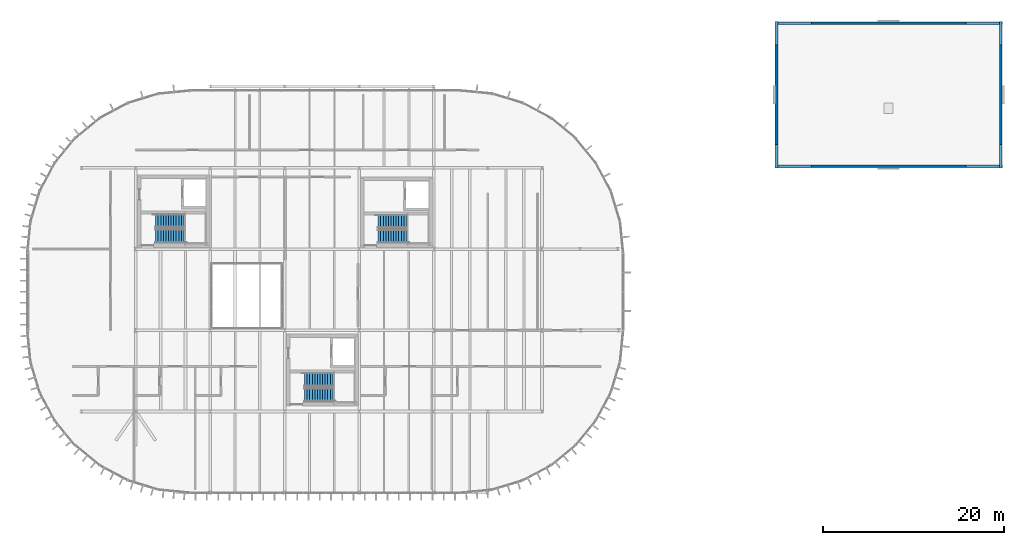
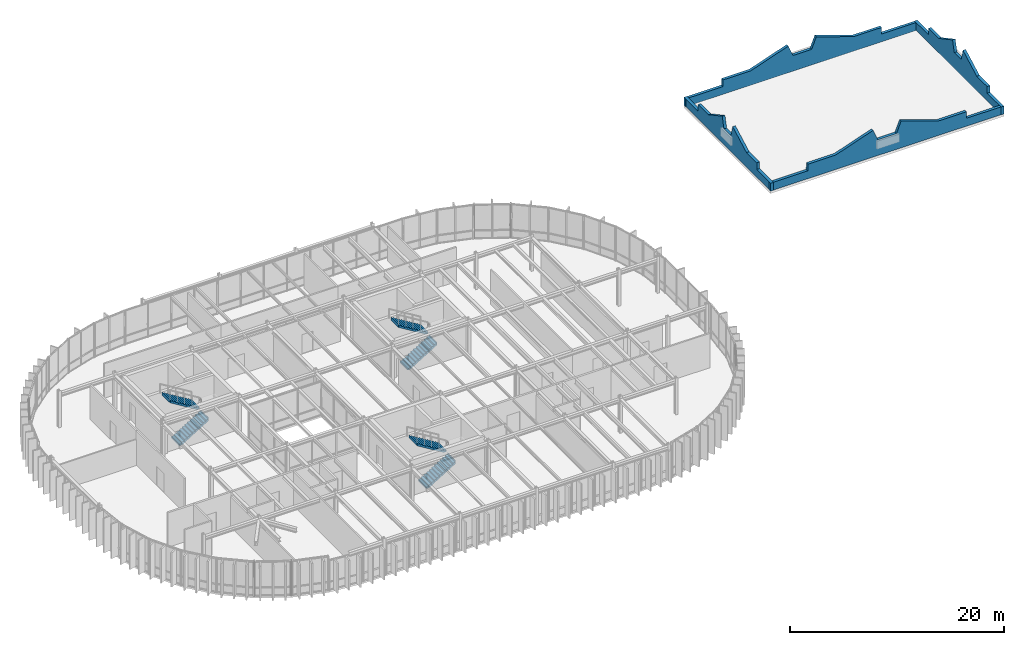
# One storey, part 22 of 27: 6 stair flights, 4 walls, 3 elements without a shape of their own.
"""IFC4 building model written with IfcOpenShell, lengths in metres."""

from ifc_helpers import new_model, si_unit, direction, frame, origin, place, context, subcontext, project, spatial, polyline, outline, extrude, material, layer, layer_set, type_object, element, aggregate, save


model = new_model("IFC4")

# Units and contexts
model_context = context("Model", 3, precision=1e-05, world=origin(), true_north=direction((0.0, 1.0)))
body_context = subcontext(model_context, "Body", "Model", "MODEL_VIEW")
ifc_project = project(units=[si_unit("LENGTHUNIT", "METRE"), si_unit("AREAUNIT", "SQUARE_METRE"), si_unit("VOLUMEUNIT", "CUBIC_METRE"), si_unit("PLANEANGLEUNIT", "RADIAN"), si_unit("MASSUNIT", "GRAM", prefix="KILO")], contexts=[model_context])

# Site, building, storey
site_placement = place(None, origin())
site = spatial("IfcSite", under=ifc_project, at=site_placement, CompositionType="ELEMENT")
building_placement = place(site_placement, origin())
building = spatial("IfcBuilding", under=site, at=building_placement, Name="Montealbar Specialist Clinic", CompositionType="ELEMENT")
storey_placement = place(building_placement, frame((0.0, 0.0, 18.0)))
storey = spatial("IfcBuildingStorey", under=building, at=storey_placement, Name="L04", CompositionType="ELEMENT", Elevation=18.0)

# Walls
ifc_material_1 = material(Name="Terracotta architectural cladding", Category="masonry")
ifc_layer = layer(ifc_material_1, 0.300048828125, Name="Terracotta architectural cladding", Category="masonry")
ifc_layer_set = layer_set([ifc_layer], Name="Terracotta architectural cladding")
wall_type = type_object("IfcWallType", Name="WL-PEDIMENT-300", PredefinedType="PARAPET", material=ifc_layer_set)
wall_1_placement = place(storey_placement, frame((161.830078125, 52.199951171875, 0.0), z_axis=(0.0, 0.0, 1.0), x_axis=(0.0, -1.0, 0.0)))
element("IfcWall", 1, at=wall_1_placement, inside=storey, type_object=wall_type, Name="Postmodern Broken-Pediment Gable Parapet L04-16", PredefinedType="PARAPET", context=body_context, shape_type="SweptSolid", body=[
    extrude(outline(polyline([(0.0, 0.0), (16.199951171875, 0.0), (16.199951171875, 0.89990234375), (13.60791015625, 0.89990234375), (13.587890625, 1.64990234375), (11.6640625, 1.64990234375), (9.072021484375, 3.050048828125), (8.748046875, 1.800048828125), (7.451904296875, 1.800048828125), (7.1279296875, 3.050048828125), (4.535888671875, 1.64990234375), (2.612060546875, 1.64990234375), (2.592041015625, 0.89990234375), (0.0, 0.89990234375), (0.0, 0.0)])), frame((0.0, 0.14990234375, 0.0), z_axis=(0.0, -1.0, 0.0), x_axis=(1.0, 0.0, 0.0)), (0.0, 0.0, 1.0), 0.300048828125),
])
wall_2_placement = place(storey_placement, frame((162.0, 36.169921875, 0.0), z_axis=(0.0, 0.0, 1.0), x_axis=(-1.0, 0.0, 0.0)))
element("IfcWall", 2, at=wall_2_placement, inside=storey, type_object=wall_type, Name="Postmodern Broken-Pediment Gable Parapet L04-17", PredefinedType="PARAPET", context=body_context, shape_type="SweptSolid", body=[
    extrude(outline(polyline([(0.0, 0.0), (25.199951171875, 0.0), (25.199951171875, 0.89990234375), (21.16796875, 0.89990234375), (21.14794921875, 1.64990234375), (18.14404296875, 1.64990234375), (14.112060546875, 3.050048828125), (13.60791015625, 1.800048828125), (11.592041015625, 1.800048828125), (11.087890625, 3.050048828125), (7.055908203125, 1.64990234375), (4.052001953125, 1.64990234375), (4.031982421875, 0.89990234375), (0.0, 0.89990234375), (0.0, 0.0)])), frame((0.0, 0.14990234375, 0.0), z_axis=(0.0, -1.0, 0.0), x_axis=(1.0, 0.0, 0.0)), (0.0, 0.0, 1.0), 0.300048828125),
])
wall_3_placement = place(storey_placement, frame((136.969970703125, 36.0, 0.0), z_axis=(0.0, 0.0, 1.0), x_axis=(0.0, 1.0, 0.0)))
element("IfcWall", 3, at=wall_3_placement, inside=storey, type_object=wall_type, Name="Postmodern Broken-Pediment Gable Parapet L04-18", PredefinedType="PARAPET", context=body_context, shape_type="SweptSolid", body=[
    extrude(outline(polyline([(0.0, 0.0), (16.199951171875, 0.0), (16.199951171875, 0.89990234375), (13.60791015625, 0.89990234375), (13.587890625, 1.64990234375), (11.6640625, 1.64990234375), (9.072021484375, 3.050048828125), (8.748046875, 1.800048828125), (7.451904296875, 1.800048828125), (7.1279296875, 3.050048828125), (4.535888671875, 1.64990234375), (2.612060546875, 1.64990234375), (2.592041015625, 0.89990234375), (0.0, 0.89990234375), (0.0, 0.0)])), frame((0.0, 0.14990234375, 0.0), z_axis=(0.0, -1.0, 0.0), x_axis=(1.0, 0.0, 0.0)), (0.0, 0.0, 1.0), 0.300048828125),
])
wall_4_placement = place(storey_placement, frame((136.800048828125, 52.030029296875, 0.0), z_axis=(0.0, 0.0, 1.0), x_axis=(1.0, 0.0, 0.0)))
element("IfcWall", 4, at=wall_4_placement, inside=storey, type_object=wall_type, Name="Postmodern Broken-Pediment Gable Parapet L04-19", PredefinedType="PARAPET", context=body_context, shape_type="SweptSolid", body=[
    extrude(outline(polyline([(0.0, 0.0), (25.199951171875, 0.0), (25.199951171875, 0.89990234375), (21.16796875, 0.89990234375), (21.14794921875, 1.64990234375), (18.14404296875, 1.64990234375), (14.112060546875, 3.050048828125), (13.60791015625, 1.800048828125), (11.592041015625, 1.800048828125), (11.087890625, 3.050048828125), (7.055908203125, 1.64990234375), (4.052001953125, 1.64990234375), (4.031982421875, 0.89990234375), (0.0, 0.89990234375), (0.0, 0.0)])), frame((0.0, 0.14990234375, 0.0), z_axis=(0.0, -1.0, 0.0), x_axis=(1.0, 0.0, 0.0)), (0.0, 0.0, 1.0), 0.300048828125),
])

# Stair, stair flights
ifc_material_2 = material(Name="Concrete C35/45", Category="concrete")
stair_type_1 = type_object("IfcStairType", Name="STAIR-HT-07", PredefinedType="HALF_TURN_STAIR", material=ifc_material_2)
stair_1_placement = place(storey_placement, origin())
stair_1 = element("IfcStair", 5, at=stair_1_placement, inside=storey, type_object=stair_type_1, Name="L04 Protected Exit Stair Core C3", PredefinedType="HALF_TURN_STAIR")
stair_flight_type_1 = type_object("IfcStairFlightType", Name="FLIGHT-HT-07", PredefinedType="STRAIGHT", material=ifc_material_2)
stair_flight_1_placement = place(storey_placement, frame((68.199951171875, 28.449951171875, 0.0), z_axis=(0.0, 0.0, 1.0), x_axis=(1.0, 0.0, 0.0)))
stair_flight_1 = element("IfcStairFlight", 6, at=stair_flight_1_placement, type_object=stair_flight_type_1, Name="ST-03 flight 1", NumberOfRisers=12, NumberOfTreads=11, PredefinedType="STRAIGHT", RiserHeight=0.175, TreadLength=0.285, context=body_context, shape_type="SweptSolid", body=[
    extrude(outline(polyline([(-0.02490234375, 0.0), (-0.02490234375, 0.0400390625), (0.0, 0.0400390625), (0.0, 0.175048828125), (0.284912109375, 0.175048828125), (0.284912109375, 0.35009765625), (0.570068359375, 0.35009765625), (0.570068359375, 0.52490234375), (0.85498046875, 0.52490234375), (0.85498046875, 0.699951171875), (1.139892578125, 0.699951171875), (1.139892578125, 0.875), (1.425048828125, 0.875), (1.425048828125, 1.050048828125), (1.7099609375, 1.050048828125), (1.7099609375, 1.22509765625), (1.9951171875, 1.22509765625), (1.9951171875, 1.39990234375), (2.280029296875, 1.39990234375), (2.280029296875, 1.574951171875), (2.56494140625, 1.574951171875), (2.56494140625, 1.75), (2.85009765625, 1.75), (2.85009765625, 1.925048828125), (3.135009765625, 1.925048828125), (3.135009765625, 2.10009765625), (3.159912109375, 2.10009765625), (3.159912109375, 1.7490234375), (3.135009765625, 1.7490234375), (0.286376953125, 0.0), (-0.02490234375, 0.0)])), frame((0.0, 0.75, 0.0), z_axis=(0.0, -1.0, 0.0), x_axis=(1.0, 0.0, 0.0)), (0.0, 0.0, 1.0), 1.5),
])
stair_flight_2_placement = place(storey_placement, frame((71.3349609375, 30.14990234375, 2.10009765625), z_axis=(0.0, 0.0, 1.0), x_axis=(-1.0, 0.0, 0.0)))
stair_flight_2 = element("IfcStairFlight", 7, at=stair_flight_2_placement, type_object=stair_flight_type_1, Name="ST-03 flight 2", NumberOfRisers=12, NumberOfTreads=11, PredefinedType="STRAIGHT", RiserHeight=0.175, TreadLength=0.285, context=body_context, shape_type="SweptSolid", body=[
    extrude(outline(polyline([(-0.02490234375, 0.0), (-0.02490234375, 0.0400390625), (0.0, 0.0400390625), (0.0, 0.175048828125), (0.284912109375, 0.175048828125), (0.284912109375, 0.35009765625), (0.570068359375, 0.35009765625), (0.570068359375, 0.52490234375), (0.85498046875, 0.52490234375), (0.85498046875, 0.699951171875), (1.139892578125, 0.699951171875), (1.139892578125, 0.875), (1.425048828125, 0.875), (1.425048828125, 1.050048828125), (1.7099609375, 1.050048828125), (1.7099609375, 1.22509765625), (1.9951171875, 1.22509765625), (1.9951171875, 1.39990234375), (2.280029296875, 1.39990234375), (2.280029296875, 1.574951171875), (2.56494140625, 1.574951171875), (2.56494140625, 1.75), (2.85009765625, 1.75), (2.85009765625, 1.925048828125), (3.135009765625, 1.925048828125), (3.135009765625, 2.10009765625), (3.159912109375, 2.10009765625), (3.159912109375, 1.7490234375), (3.135009765625, 1.7490234375), (0.286376953125, 0.0), (-0.02490234375, 0.0)])), frame((0.0, 0.75, 0.0), z_axis=(0.0, -1.0, 0.0), x_axis=(1.0, 0.0, 0.0)), (0.0, 0.0, 1.0), 1.5),
])
aggregate(stair_1, [stair_flight_1, stair_flight_2])

stair_2_placement = place(storey_placement, origin())
stair_2 = element("IfcStair", 8, at=stair_2_placement, inside=storey, type_object=stair_type_1, Name="L04 Protected Exit Stair Core C4", PredefinedType="HALF_TURN_STAIR")
stair_flight_3_placement = place(storey_placement, frame((84.699951171875, 10.85009765625, 0.0), z_axis=(0.0, 0.0, 1.0), x_axis=(1.0, 0.0, 0.0)))
stair_flight_3 = element("IfcStairFlight", 9, at=stair_flight_3_placement, type_object=stair_flight_type_1, Name="ST-04 flight 1", NumberOfRisers=12, NumberOfTreads=11, PredefinedType="STRAIGHT", RiserHeight=0.175, TreadLength=0.285, context=body_context, shape_type="SweptSolid", body=[
    extrude(outline(polyline([(-0.02490234375, 0.0), (-0.02490234375, 0.0400390625), (0.0, 0.0400390625), (0.0, 0.175048828125), (0.284912109375, 0.175048828125), (0.284912109375, 0.35009765625), (0.570068359375, 0.35009765625), (0.570068359375, 0.52490234375), (0.85498046875, 0.52490234375), (0.85498046875, 0.699951171875), (1.139892578125, 0.699951171875), (1.139892578125, 0.875), (1.425048828125, 0.875), (1.425048828125, 1.050048828125), (1.7099609375, 1.050048828125), (1.7099609375, 1.22509765625), (1.9951171875, 1.22509765625), (1.9951171875, 1.39990234375), (2.280029296875, 1.39990234375), (2.280029296875, 1.574951171875), (2.56494140625, 1.574951171875), (2.56494140625, 1.75), (2.85009765625, 1.75), (2.85009765625, 1.925048828125), (3.135009765625, 1.925048828125), (3.135009765625, 2.10009765625), (3.159912109375, 2.10009765625), (3.159912109375, 1.7490234375), (3.135009765625, 1.7490234375), (0.286376953125, 0.0), (-0.02490234375, 0.0)])), frame((0.0, 0.75, 0.0), z_axis=(0.0, -1.0, 0.0), x_axis=(1.0, 0.0, 0.0)), (0.0, 0.0, 1.0), 1.5),
])
stair_flight_4_placement = place(storey_placement, frame((87.8349609375, 12.550048828125, 2.10009765625), z_axis=(0.0, 0.0, 1.0), x_axis=(-1.0, 0.0, 0.0)))
stair_flight_4 = element("IfcStairFlight", 10, at=stair_flight_4_placement, type_object=stair_flight_type_1, Name="ST-04 flight 2", NumberOfRisers=12, NumberOfTreads=11, PredefinedType="STRAIGHT", RiserHeight=0.175, TreadLength=0.285, context=body_context, shape_type="SweptSolid", body=[
    extrude(outline(polyline([(-0.02490234375, 0.0), (-0.02490234375, 0.0400390625), (0.0, 0.0400390625), (0.0, 0.175048828125), (0.284912109375, 0.175048828125), (0.284912109375, 0.35009765625), (0.570068359375, 0.35009765625), (0.570068359375, 0.52490234375), (0.85498046875, 0.52490234375), (0.85498046875, 0.699951171875), (1.139892578125, 0.699951171875), (1.139892578125, 0.875), (1.425048828125, 0.875), (1.425048828125, 1.050048828125), (1.7099609375, 1.050048828125), (1.7099609375, 1.22509765625), (1.9951171875, 1.22509765625), (1.9951171875, 1.39990234375), (2.280029296875, 1.39990234375), (2.280029296875, 1.574951171875), (2.56494140625, 1.574951171875), (2.56494140625, 1.75), (2.85009765625, 1.75), (2.85009765625, 1.925048828125), (3.135009765625, 1.925048828125), (3.135009765625, 2.10009765625), (3.159912109375, 2.10009765625), (3.159912109375, 1.7490234375), (3.135009765625, 1.7490234375), (0.286376953125, 0.0), (-0.02490234375, 0.0)])), frame((0.0, 0.75, 0.0), z_axis=(0.0, -1.0, 0.0), x_axis=(1.0, 0.0, 0.0)), (0.0, 0.0, 1.0), 1.5),
])
aggregate(stair_2, [stair_flight_3, stair_flight_4])

stair_type_2 = type_object("IfcStairType", Name="STAIR-HT-08", PredefinedType="HALF_TURN_STAIR", material=ifc_material_2)
stair_3_placement = place(storey_placement, origin())
stair_3 = element("IfcStair", 11, at=stair_3_placement, inside=storey, type_object=stair_type_2, Name="L04 Protected Exit Stair Core C5", PredefinedType="HALF_TURN_STAIR")
stair_flight_type_2 = type_object("IfcStairFlightType", Name="FLIGHT-HT-08", PredefinedType="STRAIGHT", material=ifc_material_2)
stair_flight_5_placement = place(storey_placement, frame((92.85009765625, 28.425048828125, 0.0), z_axis=(0.0, 0.0, 1.0), x_axis=(1.0, 0.0, 0.0)))
stair_flight_5 = element("IfcStairFlight", 12, at=stair_flight_5_placement, type_object=stair_flight_type_2, Name="ST-05 flight 1", NumberOfRisers=12, NumberOfTreads=11, PredefinedType="STRAIGHT", RiserHeight=0.175, TreadLength=0.285, context=body_context, shape_type="SweptSolid", body=[
    extrude(outline(polyline([(-0.02490234375, 0.0), (-0.02490234375, 0.0400390625), (0.0, 0.0400390625), (0.0, 0.175048828125), (0.284912109375, 0.175048828125), (0.284912109375, 0.35009765625), (0.570068359375, 0.35009765625), (0.570068359375, 0.52490234375), (0.85498046875, 0.52490234375), (0.85498046875, 0.699951171875), (1.139892578125, 0.699951171875), (1.139892578125, 0.875), (1.425048828125, 0.875), (1.425048828125, 1.050048828125), (1.7099609375, 1.050048828125), (1.7099609375, 1.22509765625), (1.9951171875, 1.22509765625), (1.9951171875, 1.39990234375), (2.280029296875, 1.39990234375), (2.280029296875, 1.574951171875), (2.56494140625, 1.574951171875), (2.56494140625, 1.75), (2.85009765625, 1.75), (2.85009765625, 1.925048828125), (3.135009765625, 1.925048828125), (3.135009765625, 2.10009765625), (3.159912109375, 2.10009765625), (3.159912109375, 1.7490234375), (3.135009765625, 1.7490234375), (0.286376953125, 0.0), (-0.02490234375, 0.0)])), frame((0.0, 0.72509765625, 0.0), z_axis=(0.0, -1.0, 0.0), x_axis=(1.0, 0.0, 0.0)), (0.0, 0.0, 1.0), 1.449951171875),
])
stair_flight_6_placement = place(storey_placement, frame((95.985107421875, 30.074951171875, 2.10009765625), z_axis=(0.0, 0.0, 1.0), x_axis=(-1.0, 0.0, 0.0)))
stair_flight_6 = element("IfcStairFlight", 13, at=stair_flight_6_placement, type_object=stair_flight_type_2, Name="ST-05 flight 2", NumberOfRisers=12, NumberOfTreads=11, PredefinedType="STRAIGHT", RiserHeight=0.175, TreadLength=0.285, context=body_context, shape_type="SweptSolid", body=[
    extrude(outline(polyline([(-0.02490234375, 0.0), (-0.02490234375, 0.0400390625), (0.0, 0.0400390625), (0.0, 0.175048828125), (0.284912109375, 0.175048828125), (0.284912109375, 0.35009765625), (0.570068359375, 0.35009765625), (0.570068359375, 0.52490234375), (0.85498046875, 0.52490234375), (0.85498046875, 0.699951171875), (1.139892578125, 0.699951171875), (1.139892578125, 0.875), (1.425048828125, 0.875), (1.425048828125, 1.050048828125), (1.7099609375, 1.050048828125), (1.7099609375, 1.22509765625), (1.9951171875, 1.22509765625), (1.9951171875, 1.39990234375), (2.280029296875, 1.39990234375), (2.280029296875, 1.574951171875), (2.56494140625, 1.574951171875), (2.56494140625, 1.75), (2.85009765625, 1.75), (2.85009765625, 1.925048828125), (3.135009765625, 1.925048828125), (3.135009765625, 2.10009765625), (3.159912109375, 2.10009765625), (3.159912109375, 1.7490234375), (3.135009765625, 1.7490234375), (0.286376953125, 0.0), (-0.02490234375, 0.0)])), frame((0.0, 0.72509765625, 0.0), z_axis=(0.0, -1.0, 0.0), x_axis=(1.0, 0.0, 0.0)), (0.0, 0.0, 1.0), 1.449951171875),
])
aggregate(stair_3, [stair_flight_5, stair_flight_6])

save(model, "model.ifc")
